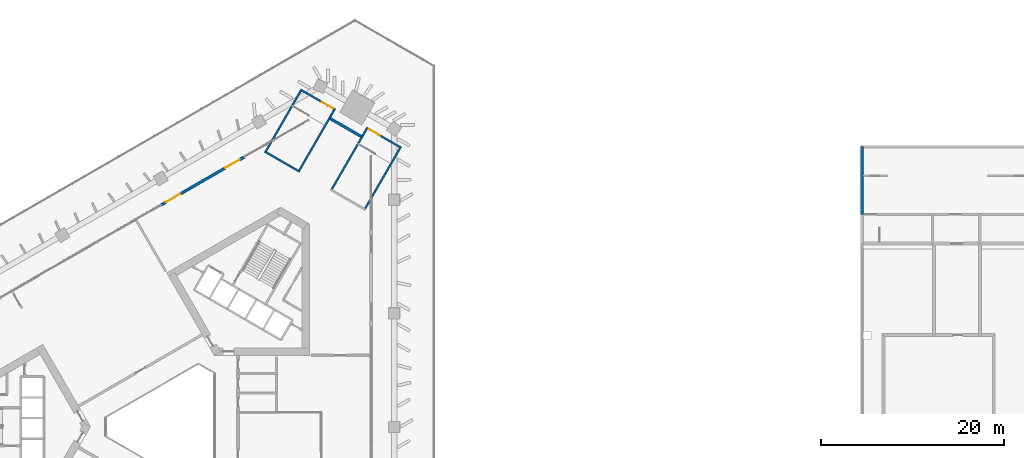
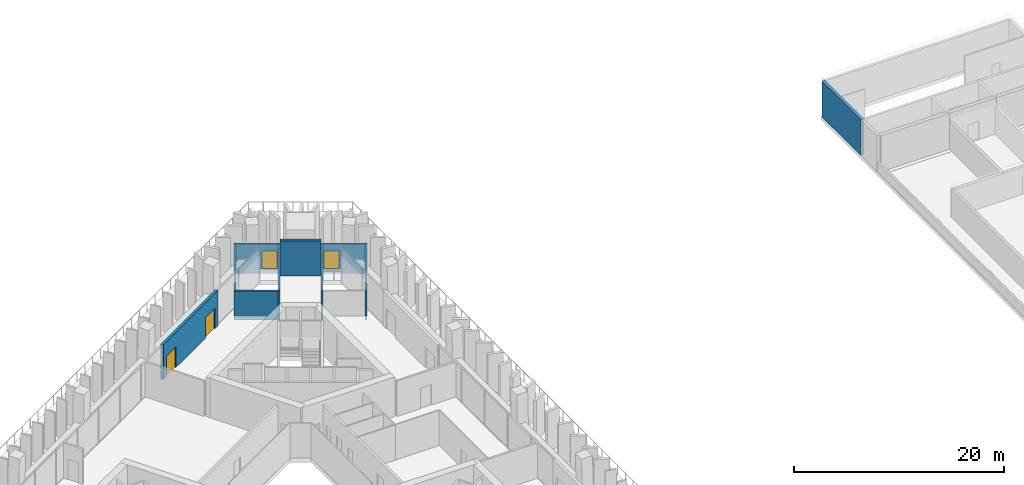
# One storey, part 21 of 31: 10 walls, 4 doors, 4 openings.
"""IFC4 building model written with IfcOpenShell, lengths in metres."""

from ifc_helpers import new_model, si_unit, direction, frame, frame_2d, origin, place, context, subcontext, project, spatial, rectangle, extrude, material, layer, layer_set, type_object, element, fill, save


model = new_model("IFC4")

# Units and contexts
model_context = context("Model", 3, precision=1e-05, world=origin(), true_north=direction((0.0, 1.0)))
body_context = subcontext(model_context, "Body", "Model", "MODEL_VIEW")
ifc_project = project(units=[si_unit("LENGTHUNIT", "METRE"), si_unit("AREAUNIT", "SQUARE_METRE"), si_unit("VOLUMEUNIT", "CUBIC_METRE"), si_unit("PLANEANGLEUNIT", "RADIAN"), si_unit("MASSUNIT", "GRAM", prefix="KILO")], contexts=[model_context])

# Site, building, storey
site_placement = place(None, origin())
site = spatial("IfcSite", under=ifc_project, at=site_placement, CompositionType="ELEMENT")
building_placement = place(site_placement, origin())
building = spatial("IfcBuilding", under=site, at=building_placement, Name="Jabali Bay Hotel Tower and Convention Centre", CompositionType="ELEMENT")
storey_placement = place(building_placement, frame((0.0, 0.0, 25.39990234375)))
storey = spatial("IfcBuildingStorey", under=building, at=storey_placement, Name="L04", CompositionType="ELEMENT", Elevation=25.39990234375)

# Walls
ifc_material_1 = material(Name="Concrete C40", Category="concrete")
ifc_layer_1 = layer(ifc_material_1, 0.300048828125)
ifc_layer_set_1 = layer_set([ifc_layer_1], Name="Concrete C40")
wall_type_1 = type_object("IfcWallType", Name="CC External Wall 300", PredefinedType="SOLIDWALL", material=ifc_layer_set_1)
wall_1_placement = place(storey_placement, frame((150.14990234375, 103.14990234375, 0.0), z_axis=(0.0, 0.0, 1.0), x_axis=(0.0, 1.0, 0.0)))
element("IfcWall", 1, at=wall_1_placement, inside=storey, type_object=wall_type_1, Name="CC wall 140", PredefinedType="SOLIDWALL", context=body_context, shape_type="SweptSolid", body=[
    extrude(rectangle(XDim=7.400146484375, YDim=0.300048828125, at=frame_2d((3.7001953125, 0.0))), origin(), (0.0, 0.0, 1.0), 4.190185546875),
])
ifc_layer_2 = layer(ifc_material_1, 0.300048828125)
ifc_layer_set_2 = layer_set([ifc_layer_2], Name="Concrete C40")
wall_type_2 = type_object("IfcWallType", Name="External wall 300", PredefinedType="SOLIDWALL", material=ifc_layer_set_2)
wall_2_placement = place(storey_placement, frame((92.152587890625, 113.609375, 0.0), z_axis=(0.0, 0.0, 1.0), x_axis=(0.866042777325, -0.499969906938, 0.0)))
element("IfcWall", 2, at=wall_2_placement, inside=storey, type_object=wall_type_2, Name="External wall north-east chamfer L04", PredefinedType="SOLIDWALL", context=body_context, shape_type="SweptSolid", body=[
    extrude(rectangle(XDim=3.900146484375, YDim=0.300048828125, at=frame_2d((1.9501953125, 0.0))), origin(), (0.0, 0.0, 1.0), 4.10009765625),
])

# Wall, openings, doors
wall_3_placement = place(storey_placement, frame((73.72314453125, 104.196044921875, 0.0), z_axis=(0.0, 0.0, 1.0), x_axis=(0.8660178137, 0.500013146181, 0.0)))
wall_3 = element("IfcWall", 3, at=wall_3_placement, inside=storey, type_object=wall_type_2, Name="External wall north-west face L04", PredefinedType="SOLIDWALL", context=body_context, shape_type="SweptSolid", body=[
    extrude(rectangle(XDim=10.444580078125, YDim=0.300048828125, at=frame_2d((5.22216796875, 0.0))), origin(), (0.0, 0.0, 1.0), 4.10009765625),
])
opening_1_placement = place(wall_3_placement, frame((8.044677734375, 0.0, 0.0)))
opening_1 = element("IfcOpeningElement", 4, at=opening_1_placement, cuts=wall_3, Name="Opening ED1", PredefinedType="OPENING", context=body_context, shape_type="SweptSolid", body=[
    extrude(rectangle(XDim=1.800048828125, YDim=2.39990234375, at=frame_2d((0.89990234375, 1.199951171875))), frame((0.0, 0.16064453125, 0.0), z_axis=(0.0, -1.0, 0.0), x_axis=(1.0, 0.0, 0.0)), (0.0, 0.0, 1.0), 0.321044921875),
])
opening_2_placement = place(wall_3_placement, frame((0.60009765625, 0.0, 0.0)))
opening_2 = element("IfcOpeningElement", 5, at=opening_2_placement, cuts=wall_3, Name="Opening ED1", PredefinedType="OPENING", context=body_context, shape_type="SweptSolid", body=[
    extrude(rectangle(XDim=1.800048828125, YDim=2.39990234375, at=frame_2d((0.89990234375, 1.199951171875))), frame((0.0, 0.16064453125, 0.0), z_axis=(0.0, -1.0, 0.0), x_axis=(1.0, 0.0, 0.0)), (0.0, 0.0, 1.0), 0.321044921875),
])
ifc_material_2 = material(Name="Glass", Category="glass")
door_type_1 = type_object("IfcDoorType", Name="Terrace door 1800 x 2400", OperationType="NOTDEFINED", PredefinedType="NOTDEFINED", material=ifc_material_2)
door_1_placement = place(opening_1_placement, origin())
door_1 = element("IfcDoor", 6, at=door_1_placement, inside=storey, type_object=door_type_1, Name="Terrace door", OperationType="DOUBLE_DOOR_SINGLE_SWING", OverallHeight=2.39990234375, OverallWidth=1.800048828125, PredefinedType="NOTDEFINED", context=body_context, shape_type="SweptSolid", body=[
    extrude(rectangle(XDim=1.800048828125, YDim=2.39990234375, at=frame_2d((0.89990234375, 1.199951171875))), frame((0.0, 0.02490234375, 0.0), z_axis=(0.0, -1.0, 0.0), x_axis=(1.0, 0.0, 0.0)), (0.0, 0.0, 1.0), 0.050048828125),
])
fill(opening_1, door_1)
door_2_placement = place(opening_2_placement, origin())
door_2 = element("IfcDoor", 7, at=door_2_placement, inside=storey, type_object=door_type_1, Name="Terrace door", OperationType="DOUBLE_DOOR_SINGLE_SWING", OverallHeight=2.39990234375, OverallWidth=1.800048828125, PredefinedType="NOTDEFINED", context=body_context, shape_type="SweptSolid", body=[
    extrude(rectangle(XDim=1.800048828125, YDim=2.39990234375, at=frame_2d((0.89990234375, 1.199951171875))), frame((0.0, 0.02490234375, 0.0), z_axis=(0.0, -1.0, 0.0), x_axis=(1.0, 0.0, 0.0)), (0.0, 0.0, 1.0), 0.050048828125),
])
fill(opening_2, door_2)

# Wall, opening, door
ifc_layer_3 = layer(ifc_material_1, 0.199951171875)
ifc_layer_set_3 = layer_set([ifc_layer_3], Name="Concrete C40")
wall_type_3 = type_object("IfcWallType", Name="Podium stair enclosure wall 200", PredefinedType="SOLIDWALL", material=ifc_layer_set_3)
wall_4_placement = place(storey_placement, frame((92.711181640625, 114.576904296875, -0.5), z_axis=(0.0, 0.0, 1.0), x_axis=(-0.866032203192, 0.499988222896, 0.0)))
wall_4 = element("IfcWall", 8, at=wall_4_placement, inside=storey, type_object=wall_type_3, Name="Podium stair wall 3.1 L04", PredefinedType="SOLIDWALL", context=body_context, shape_type="SweptSolid", body=[
    extrude(rectangle(XDim=4.39990234375, YDim=0.199951171875, at=frame_2d((2.199951171875, 0.0))), origin(), (0.0, 0.0, 1.0), 3.400146484375),
])
opening_3_placement = place(wall_4_placement, frame((0.300048828125, 0.0, 0.5)))
opening_3 = element("IfcOpeningElement", 9, at=opening_3_placement, cuts=wall_4, Name="Opening D1750", PredefinedType="OPENING", context=body_context, shape_type="SweptSolid", body=[
    extrude(rectangle(XDim=1.39990234375, YDim=2.10009765625, at=frame_2d((0.699951171875, 1.050048828125))), frame((0.0, 0.1103515625, 0.0), z_axis=(0.0, -1.0, 0.0), x_axis=(1.0, 0.0, 0.0)), (0.0, 0.0, 1.0), 0.220947265625),
])
ifc_material_3 = material(Name="Fire-rated steel door", Category="steel")
door_type_2 = type_object("IfcDoorType", Name="Podium stair fire door 1400 x 2100", OperationType="NOTDEFINED", PredefinedType="NOTDEFINED", material=ifc_material_3)
door_3_placement = place(opening_3_placement, origin())
door_3 = element("IfcDoor", 10, at=door_3_placement, inside=storey, type_object=door_type_2, Name="Podium stair fire door D1750", OperationType="SINGLE_SWING_RIGHT", OverallHeight=2.10009765625, OverallWidth=1.39990234375, PredefinedType="NOTDEFINED", context=body_context, shape_type="SweptSolid", body=[
    extrude(rectangle(XDim=1.39990234375, YDim=2.10009765625, at=frame_2d((0.699951171875, 1.050048828125))), frame((0.0, 0.02490234375, 0.0), z_axis=(0.0, -1.0, 0.0), x_axis=(1.0, 0.0, 0.0)), (0.0, 0.0, 1.0), 0.050048828125),
])
fill(opening_3, door_3)

# Walls
wall_5_placement = place(storey_placement, frame((89.037353515625, 116.8134765625, -0.5), z_axis=(0.0, 0.0, 1.0), x_axis=(-0.49999894854, -0.866026010844, 0.0)))
element("IfcWall", 11, at=wall_5_placement, inside=storey, type_object=wall_type_3, Name="Podium stair wall 3.2 L04", PredefinedType="SOLIDWALL", context=body_context, shape_type="SweptSolid", body=[
    extrude(rectangle(XDim=8.0, YDim=0.199951171875, at=frame_2d((4.0, 0.0))), origin(), (0.0, 0.0, 1.0), 3.400146484375),
])
wall_6_placement = place(storey_placement, frame((85.000732421875, 110.021728515625, -0.5), z_axis=(0.0, 0.0, 1.0), x_axis=(0.866032203192, -0.499988222896, 0.0)))
element("IfcWall", 12, at=wall_6_placement, inside=storey, type_object=wall_type_3, Name="Podium stair wall 3.3 L04", PredefinedType="SOLIDWALL", context=body_context, shape_type="SweptSolid", body=[
    extrude(rectangle(XDim=4.39990234375, YDim=0.199951171875, at=frame_2d((2.199951171875, 0.0))), origin(), (0.0, 0.0, 1.0), 3.400146484375),
])
wall_7_placement = place(storey_placement, frame((88.674560546875, 107.78515625, -0.5), z_axis=(0.0, 0.0, 1.0), x_axis=(0.49999894854, 0.866026010844, 0.0)))
element("IfcWall", 13, at=wall_7_placement, inside=storey, type_object=wall_type_3, Name="Podium stair wall 3.4 L04", PredefinedType="SOLIDWALL", context=body_context, shape_type="SweptSolid", body=[
    extrude(rectangle(XDim=8.0, YDim=0.199951171875, at=frame_2d((4.0, 0.0))), origin(), (0.0, 0.0, 1.0), 3.400146484375),
])

# Wall, opening, door
wall_8_placement = place(storey_placement, frame((99.899169921875, 110.4267578125, -0.5), z_axis=(0.0, 0.0, 1.0), x_axis=(-0.866018331238, 0.50001224981, 0.0)))
wall_8 = element("IfcWall", 14, at=wall_8_placement, inside=storey, type_object=wall_type_3, Name="Podium stair wall 4.1 L04", PredefinedType="SOLIDWALL", context=body_context, shape_type="SweptSolid", body=[
    extrude(rectangle(XDim=4.39990234375, YDim=0.199951171875, at=frame_2d((2.199951171875, 0.0))), origin(), (0.0, 0.0, 1.0), 3.400146484375),
])
opening_4_placement = place(wall_8_placement, frame((2.699951171875, 0.0, 0.5)))
opening_4 = element("IfcOpeningElement", 15, at=opening_4_placement, cuts=wall_8, Name="Opening D1755", PredefinedType="OPENING", context=body_context, shape_type="SweptSolid", body=[
    extrude(rectangle(XDim=1.39990234375, YDim=2.10009765625, at=frame_2d((0.699951171875, 1.050048828125))), frame((0.0, 0.1103515625, 0.0), z_axis=(0.0, -1.0, 0.0), x_axis=(1.0, 0.0, 0.0)), (0.0, 0.0, 1.0), 0.220947265625),
])
door_4_placement = place(opening_4_placement, origin())
door_4 = element("IfcDoor", 16, at=door_4_placement, inside=storey, type_object=door_type_2, Name="Podium stair fire door D1755", OperationType="SINGLE_SWING_RIGHT", OverallHeight=2.10009765625, OverallWidth=1.39990234375, PredefinedType="NOTDEFINED", context=body_context, shape_type="SweptSolid", body=[
    extrude(rectangle(XDim=1.39990234375, YDim=2.10009765625, at=frame_2d((0.699951171875, 1.050048828125))), frame((0.0, 0.02490234375, 0.0), z_axis=(0.0, -1.0, 0.0), x_axis=(1.0, 0.0, 0.0)), (0.0, 0.0, 1.0), 0.050048828125),
])
fill(opening_4, door_4)

# Walls
for number, where, z_axis, x_axis, name in (
    (17, (96.225341796875, 112.663330078125, -0.5), (0.0, 0.0, 1.0), (-0.49999894854, -0.866026010844, 0.0), "Podium stair wall 4.2 L04"),
    (18, (95.862548828125, 103.63525390625, -0.5), (0.0, 0.0, 1.0), (0.49999894854, 0.866026010844, 0.0), "Podium stair wall 4.4 L04"),
):
    element("IfcWall", number, at=place(storey_placement, frame(where, z_axis=z_axis, x_axis=x_axis)), inside=storey, type_object=wall_type_3, Name=name, PredefinedType="SOLIDWALL", context=body_context, shape_type="SweptSolid", body=[
        extrude(rectangle(XDim=8.0, YDim=0.199951171875, at=frame_2d((4.0, 0.0))), origin(), (0.0, 0.0, 1.0), 3.400146484375),
    ])

save(model, "model.ifc")
